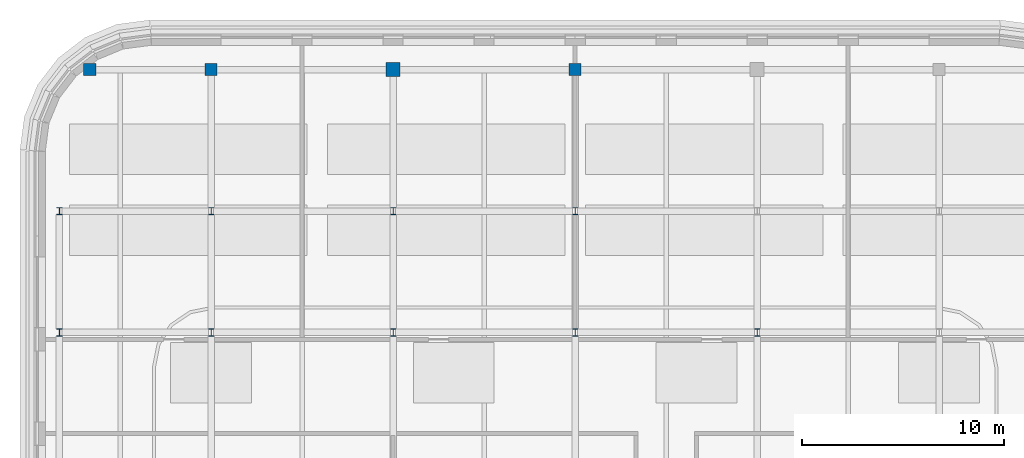
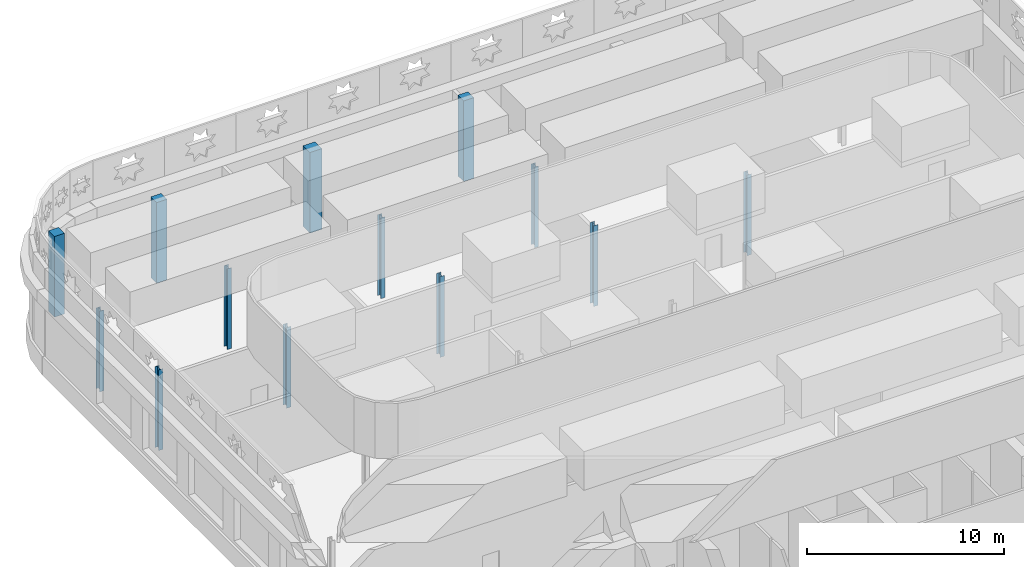
# One storey, part 3 of 14: 13 columns.
"""IFC4 building model written with IfcOpenShell, lengths in metres."""

from ifc_helpers import new_model, si_unit, direction, frame, origin, origin_2d, place, context, subcontext, project, spatial, rectangle, i_section, extrude, material, material_profile, profile_set, type_object, element, save


model = new_model("IFC4")

# Units and contexts
model_context = context("Model", 3, precision=1e-05, world=origin(), true_north=direction((0.0, 1.0)))
body_context = subcontext(model_context, "Body", "Model", "MODEL_VIEW")
ifc_project = project(units=[si_unit("LENGTHUNIT", "METRE"), si_unit("AREAUNIT", "SQUARE_METRE"), si_unit("VOLUMEUNIT", "CUBIC_METRE"), si_unit("PLANEANGLEUNIT", "RADIAN"), si_unit("MASSUNIT", "GRAM", prefix="KILO")], contexts=[model_context])

# Site, building, storey
site_placement = place(None, origin())
site = spatial("IfcSite", under=ifc_project, at=site_placement, CompositionType="ELEMENT")
building_placement = place(site_placement, origin())
building = spatial("IfcBuilding", under=site, at=building_placement, Name="Zellij Exchange Tower", CompositionType="ELEMENT")
storey_placement = place(building_placement, frame((0.0, 0.0, 305.5)))
storey = spatial("IfcBuildingStorey", under=building, at=storey_placement, Name="L71", CompositionType="ELEMENT", Elevation=305.5)

# Columns
ifc_material_1 = material(Name="Concrete C50/60", Category="concrete")
ifc_material_profile_1 = material_profile(ifc_material_1, rectangle(XDim=0.60009765625, YDim=0.60009765625, at=origin_2d()), Name="STR-COLUMN RC600x600 C50/60")
ifc_profile_set_1 = profile_set([ifc_material_profile_1], Name="Concrete C50/60")
column_type_1 = type_object("IfcColumnType", Name="STR-COLUMN RC600x600 C50/60", PredefinedType="COLUMN", material=ifc_profile_set_1)
for number, where, z_axis, x_axis, name in (
    (1, (-24.0, 35.0, 0.0), (0.0, 0.0, 1.0), (1.0, 0.0, 0.0), "C13"),
    (2, (-18.0, 35.0, 0.0), (0.0, 0.0, 1.0), (1.0, 0.0, 0.0), "C13"),
    (3, (0.0, 35.0, 0.0), (0.0, 0.0, 1.0), (1.0, 0.0, 0.0), "C13"),
):
    element("IfcColumn", number, at=place(storey_placement, frame(where, z_axis=z_axis, x_axis=x_axis)), inside=storey, type_object=column_type_1, Name=name, PredefinedType="COLUMN", context=body_context, shape_type="SweptSolid", body=[
        extrude(rectangle(XDim=0.60009765625, YDim=0.60009765625, at=origin_2d()), origin(), (0.0, 0.0, 1.0), 5.0),
    ])
ifc_material_2 = material(Name="Structural steel ASTM A992 Gr 50", Category="steel")
ifc_material_profile_2 = material_profile(ifc_material_2, i_section(OverallWidth=0.25390625, OverallDepth=0.35302734375, WebThickness=0.009521484375, FlangeThickness=0.016357421875, at=origin_2d()), Name="W14x61")
ifc_profile_set_2 = profile_set([ifc_material_profile_2], Name="Structural steel ASTM A992 Gr 50")
column_type_2 = type_object("IfcColumnType", Name="STR-COLUMN W14x61", PredefinedType="COLUMN", material=ifc_profile_set_2)
for number, where, z_axis, x_axis, name in (
    (4, (-25.5, 22.0, 0.0), (0.0, 0.0, 1.0), (1.0, 0.0, 0.0), "C6"),
    (5, (-18.0, 22.0, 0.0), (0.0, 0.0, 1.0), (1.0, 0.0, 0.0), "C6"),
    (6, (-9.0, 22.0, 0.0), (0.0, 0.0, 1.0), (1.0, 0.0, 0.0), "C6"),
    (7, (0.0, 22.0, 0.0), (0.0, 0.0, 1.0), (1.0, 0.0, 0.0), "C6"),
    (8, (9.0, 22.0, 0.0), (0.0, 0.0, 1.0), (1.0, 0.0, 0.0), "C6"),
    (9, (-25.5, 28.0, 0.0), (0.0, 0.0, 1.0), (1.0, 0.0, 0.0), "C6"),
    (10, (-18.0, 28.0, 0.0), (0.0, 0.0, 1.0), (1.0, 0.0, 0.0), "C6"),
    (11, (-9.0, 28.0, 0.0), (0.0, 0.0, 1.0), (1.0, 0.0, 0.0), "C6"),
    (12, (0.0, 28.0, 0.0), (0.0, 0.0, 1.0), (1.0, 0.0, 0.0), "C6"),
):
    element("IfcColumn", number, at=place(storey_placement, frame(where, z_axis=z_axis, x_axis=x_axis)), inside=storey, type_object=column_type_2, Name=name, PredefinedType="COLUMN", context=body_context, shape_type="SweptSolid", body=[
        extrude(i_section(OverallWidth=0.25390625, OverallDepth=0.35302734375, WebThickness=0.009521484375, FlangeThickness=0.016357421875, at=origin_2d()), origin(), (0.0, 0.0, 1.0), 5.0),
    ])
ifc_material_profile_3 = material_profile(ifc_material_1, rectangle(XDim=0.699951171875, YDim=0.699951171875, at=origin_2d()), Name="STR-MEGA COLUMN RC700x700 C50/60")
ifc_profile_set_3 = profile_set([ifc_material_profile_3], Name="Concrete C50/60")
column_type_3 = type_object("IfcColumnType", Name="STR-MEGA COLUMN RC700x700 C50/60", PredefinedType="COLUMN", material=ifc_profile_set_3)
column_placement = place(storey_placement, frame((-9.0, 35.0, 0.0), z_axis=(0.0, 0.0, 1.0), x_axis=(1.0, 0.0, 0.0)))
element("IfcColumn", 13, at=column_placement, inside=storey, type_object=column_type_3, Name="MC9", PredefinedType="COLUMN", context=body_context, shape_type="SweptSolid", body=[
    extrude(rectangle(XDim=0.699951171875, YDim=0.699951171875, at=origin_2d()), origin(), (0.0, 0.0, 1.0), 5.0),
])

save(model, "model.ifc")
